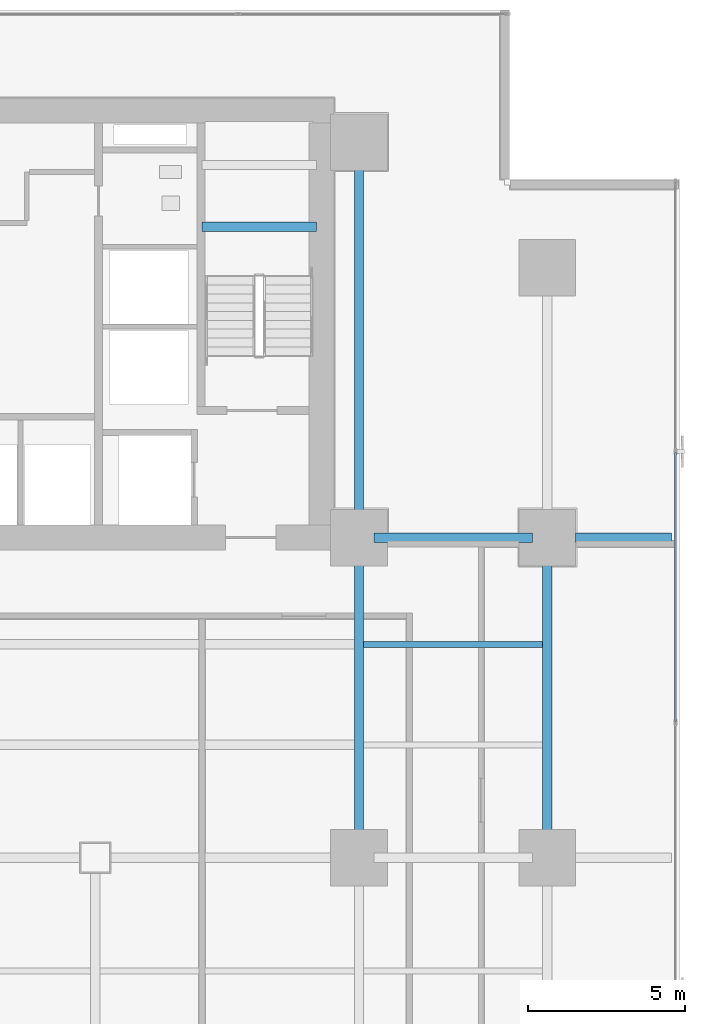
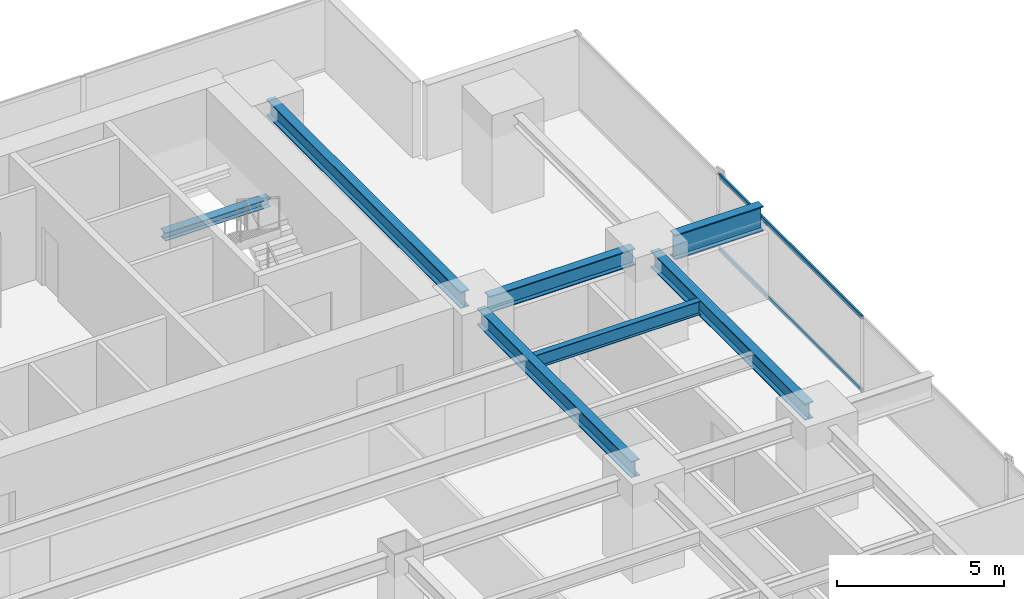
# One storey, part 20 of 33: 7 beams, 2 members, 1 element without a shape of its own.
"""IFC4 building model written with IfcOpenShell, lengths in metres."""

from ifc_helpers import new_model, si_unit, direction, frame, origin, origin_2d, place, context, subcontext, project, spatial, hollow_rectangle, i_section, extrude, source, transform, mapped, material, layer, layer_set, material_profile, profile_set, type_object, element, aggregate, save


model = new_model("IFC4")

# Units and contexts
model_context = context("Model", 3, precision=1e-05, world=origin(), true_north=direction((0.0, 1.0)))
body_context = subcontext(model_context, "Body", "Model", "MODEL_VIEW")
ifc_project = project(units=[si_unit("LENGTHUNIT", "METRE"), si_unit("AREAUNIT", "SQUARE_METRE"), si_unit("VOLUMEUNIT", "CUBIC_METRE"), si_unit("PLANEANGLEUNIT", "RADIAN"), si_unit("MASSUNIT", "GRAM", prefix="KILO")], contexts=[model_context])

# Site, building, storey
site_placement = place(None, origin())
site = spatial("IfcSite", under=ifc_project, at=site_placement, CompositionType="ELEMENT")
building_placement = place(site_placement, origin())
building = spatial("IfcBuilding", under=site, at=building_placement, Name="Sumidabori Civic Tower", CompositionType="ELEMENT")
storey_placement = place(building_placement, frame((0.0, 0.0, 63.199951171875)))
storey = spatial("IfcBuildingStorey", under=building, at=storey_placement, Name="L16", CompositionType="ELEMENT", Elevation=63.199951171875)

# Beams
ifc_material_1 = material(Name="Steel SN490", Category="steel")
ifc_material_profile_1 = material_profile(ifc_material_1, i_section(OverallWidth=0.300048828125, OverallDepth=0.300048828125, WebThickness=0.010986328125, FlangeThickness=0.01904296875, at=origin_2d()), Name="HE 300 B")
ifc_profile_set_1 = profile_set([ifc_material_profile_1], Name="Steel SN490")
beam_type_1 = type_object("IfcBeamType", Name="BM-LDG-300", PredefinedType="BEAM", material=ifc_profile_set_1)
shared_shape_1 = source(origin(), body_context, "Body", "SweptSolid", [
    extrude(i_section(OverallWidth=0.300048828125, OverallDepth=0.300048828125, WebThickness=0.010986328125, FlangeThickness=0.01904296875, at=origin_2d()), origin(), (0.0, 0.0, 1.0), 3.64990234375),
])
beam_1_placement = place(storey_placement, frame((11.800048828125, 20.09765625, 1.449951171875), z_axis=(1.0, 0.0, 0.0), x_axis=(0.0, 1.0, 0.0)))
element("IfcBeam", 1, at=beam_1_placement, inside=storey, type_object=beam_type_1, Name="Stair ST-2 Landing Support Beam L16-1A", PredefinedType="BEAM", context=body_context, shape_type="MappedRepresentation", body=[
    mapped(shared_shape_1, transform((0.0, 0.0, 0.0), x_axis=(1.0, 0.0, 0.0), y_axis=(0.0, 1.0, 0.0), z_axis=(0.0, 0.0, 1.0), scale=1.0)),
])
ifc_material_profile_2 = material_profile(ifc_material_1, i_section(OverallWidth=0.300048828125, OverallDepth=0.60009765625, WebThickness=0.015380859375, FlangeThickness=0.030029296875, at=origin_2d()), Name="HE 600 B")
ifc_profile_set_2 = profile_set([ifc_material_profile_2], Name="Steel SN490")
beam_type_2 = type_object("IfcBeamType", Name="BM-GIRD-600", PredefinedType="BEAM", material=ifc_profile_set_2)
shared_shape_2 = source(origin(), body_context, "Body", "SweptSolid", [
    extrude(i_section(OverallWidth=0.300048828125, OverallDepth=0.60009765625, WebThickness=0.015380859375, FlangeThickness=0.030029296875, at=origin_2d()), origin(), (0.0, 0.0, 1.0), 5.0400390625),
])
beam_2_placement = place(storey_placement, frame((17.280029296875, 10.199951171875, 3.06005859375), z_axis=(1.0, 0.0, 0.0), x_axis=(0.0, 1.0, 0.0)))
element("IfcBeam", 2, at=beam_2_placement, inside=storey, type_object=beam_type_2, Name="Primary Girder L16 GX-20", PredefinedType="BEAM", context=body_context, shape_type="MappedRepresentation", body=[
    mapped(shared_shape_2, transform((0.0, 0.0, 0.0), x_axis=(1.0, 0.0, 0.0), y_axis=(0.0, 1.0, 0.0), z_axis=(0.0, 0.0, 1.0), scale=1.0)),
])
shared_shape_3 = source(origin(), body_context, "Body", "SweptSolid", [
    extrude(i_section(OverallWidth=0.300048828125, OverallDepth=0.60009765625, WebThickness=0.015380859375, FlangeThickness=0.030029296875, at=origin_2d()), origin(), (0.0, 0.0, 1.0), 9.239990234375),
])
for number, where, z_axis, x_axis, name in (
    (3, (16.800048828125, 0.47998046875, 3.06005859375), (0.0, 1.0, 0.0), (-1.0, 0.0, 0.0), "Primary Girder L16 GY-37"),
    (4, (22.800048828125, 0.47998046875, 3.06005859375), (0.0, 1.0, 0.0), (-1.0, 0.0, 0.0), "Primary Girder L16 GY-41"),
):
    element("IfcBeam", number, at=place(storey_placement, frame(where, z_axis=z_axis, x_axis=x_axis)), inside=storey, type_object=beam_type_2, Name=name, PredefinedType="BEAM", context=body_context, shape_type="MappedRepresentation", body=[
        mapped(shared_shape_3, transform((0.0, 0.0, 0.0), x_axis=(1.0, 0.0, 0.0), y_axis=(0.0, 1.0, 0.0), z_axis=(0.0, 0.0, 1.0), scale=1.0)),
    ])
shared_shape_4 = source(origin(), body_context, "Body", "SweptSolid", [
    extrude(i_section(OverallWidth=0.300048828125, OverallDepth=0.60009765625, WebThickness=0.015380859375, FlangeThickness=0.030029296875, at=origin_2d()), origin(), (0.0, 0.0, 1.0), 11.64013671875),
])
beam_3_placement = place(storey_placement, frame((16.800048828125, 10.679931640625, 3.06005859375), z_axis=(0.0, 1.0, 0.0), x_axis=(-1.0, 0.0, 0.0)))
element("IfcBeam", 5, at=beam_3_placement, inside=storey, type_object=beam_type_2, Name="Primary Girder L16 GY-38", PredefinedType="BEAM", context=body_context, shape_type="MappedRepresentation", body=[
    mapped(shared_shape_4, transform((0.0, 0.0, 0.0), x_axis=(1.0, 0.0, 0.0), y_axis=(0.0, 1.0, 0.0), z_axis=(0.0, 0.0, 1.0), scale=1.0)),
])
ifc_material_profile_3 = material_profile(ifc_material_1, i_section(OverallWidth=0.302001953125, OverallDepth=0.909912109375, WebThickness=0.02099609375, FlangeThickness=0.0400390625, at=origin_2d()), Name="HE 900 M")
ifc_profile_set_3 = profile_set([ifc_material_profile_3], Name="Steel SN490")
beam_type_3 = type_object("IfcBeamType", Name="BM-Z1-EDGE", PredefinedType="SPANDREL", material=ifc_profile_set_3)
shared_shape_5 = source(origin(), body_context, "Body", "SweptSolid", [
    extrude(i_section(OverallWidth=0.302001953125, OverallDepth=0.909912109375, WebThickness=0.02099609375, FlangeThickness=0.0400390625, at=origin_2d()), origin(), (0.0, 0.0, 1.0), 3.050048828125),
])
beam_4_placement = place(storey_placement, frame((23.699951171875, 10.199951171875, 2.905029296875), z_axis=(1.0, 0.0, 0.0), x_axis=(0.0, 1.0, 0.0)))
element("IfcBeam", 6, at=beam_4_placement, inside=storey, type_object=beam_type_3, Name="Perimeter Overhang Beam L16 E-47", PredefinedType="SPANDREL", context=body_context, shape_type="MappedRepresentation", body=[
    mapped(shared_shape_5, transform((0.0, 0.0, 0.0), x_axis=(1.0, 0.0, 0.0), y_axis=(0.0, 1.0, 0.0), z_axis=(0.0, 0.0, 1.0), scale=1.0)),
])
ifc_material_profile_4 = material_profile(ifc_material_1, i_section(OverallWidth=0.199951171875, OverallDepth=0.5, WebThickness=0.01025390625, FlangeThickness=0.01611328125, at=origin_2d()), Name="IPE 500")
ifc_profile_set_4 = profile_set([ifc_material_profile_4], Name="Steel SN490")
beam_type_4 = type_object("IfcBeamType", Name="BM-JST-500", PredefinedType="JOIST", material=ifc_profile_set_4)
shared_shape_6 = source(origin(), body_context, "Body", "SweptSolid", [
    extrude(i_section(OverallWidth=0.199951171875, OverallDepth=0.5, WebThickness=0.01025390625, FlangeThickness=0.01611328125, at=origin_2d()), origin(), (0.0, 0.0, 1.0), 5.699951171875),
])
beam_5_placement = place(storey_placement, frame((16.949951171875, 6.800048828125, 3.110107421875), z_axis=(1.0, 0.0, 0.0), x_axis=(0.0, 1.0, 0.0)))
element("IfcBeam", 7, at=beam_5_placement, inside=storey, type_object=beam_type_4, Name="Outer Bay Floor Joist L16 JSTO-56", PredefinedType="JOIST", context=body_context, shape_type="MappedRepresentation", body=[
    mapped(shared_shape_6, transform((0.0, 0.0, 0.0), x_axis=(1.0, 0.0, 0.0), y_axis=(0.0, 1.0, 0.0), z_axis=(0.0, 0.0, 1.0), scale=1.0)),
])

# Curtain wall, members
ifc_material_2 = material(Name="Anodised Bronze Aluminium AW-6063-T6", Category="aluminium")
ifc_layer = layer(ifc_material_2, 0.179931640625, Name="Anodised Bronze Aluminium AW-6063-T6")
ifc_layer_set = layer_set([ifc_layer], Name="Anodised Bronze Aluminium AW-6063-T6")
curtain_wall_type = type_object("IfcCurtainWallType", Name="CW-SYS-2", PredefinedType="NOTDEFINED", material=ifc_layer_set)
curtain_wall_placement = place(storey_placement, origin())
curtain_wall = element("IfcCurtainWall", 8, at=curtain_wall_placement, inside=storey, type_object=curtain_wall_type, Name="Curtain Wall CW:L16:R04", PredefinedType="NOTDEFINED")
ifc_material_profile_5 = material_profile(ifc_material_2, hollow_rectangle(XDim=0.06494140625, YDim=0.14990234375, WallThickness=0.0048828125, at=origin_2d()), Name="ALU TRANSOM 150x65")
ifc_profile_set_5 = profile_set([ifc_material_profile_5], Name="Anodised Bronze Aluminium AW-6063-T6")
member_type = type_object("IfcMemberType", Name="CW-TRN-150", PredefinedType="USERDEFINED", material=ifc_profile_set_5)
shared_shape_7 = source(origin(), body_context, "Body", "SweptSolid", [
    extrude(hollow_rectangle(XDim=0.06494140625, YDim=0.14990234375, WallThickness=0.0048828125, at=origin_2d()), origin(), (0.0, 0.0, 1.0), 8.557861328125),
])
member_1_placement = place(storey_placement, frame((26.8798828125, 4.34912109375, 0.032470703125), z_axis=(0.0, 1.0, 0.0), x_axis=(-1.0, 0.0, 0.0)))
member_1 = element("IfcMember", 9, at=member_1_placement, type_object=member_type, Name="CW-2 transom 4.1", ObjectType="TRANSOM", PredefinedType="USERDEFINED", context=body_context, shape_type="MappedRepresentation", body=[
    mapped(shared_shape_7, transform((0.0, 0.0, 0.0), x_axis=(1.0, 0.0, 0.0), y_axis=(0.0, 1.0, 0.0), z_axis=(0.0, 0.0, 1.0), scale=1.0)),
])
member_2_placement = place(storey_placement, frame((26.8798828125, 4.34912109375, 2.70751953125), z_axis=(0.0, 1.0, 0.0), x_axis=(-1.0, 0.0, 0.0)))
member_2 = element("IfcMember", 10, at=member_2_placement, type_object=member_type, Name="CW-2 transom 4.2", ObjectType="TRANSOM", PredefinedType="USERDEFINED", context=body_context, shape_type="MappedRepresentation", body=[
    mapped(shared_shape_7, transform((0.0, 0.0, 0.0), x_axis=(1.0, 0.0, 0.0), y_axis=(0.0, 1.0, 0.0), z_axis=(0.0, 0.0, 1.0), scale=1.0)),
])
aggregate(curtain_wall, [member_1, member_2])

save(model, "model.ifc")
